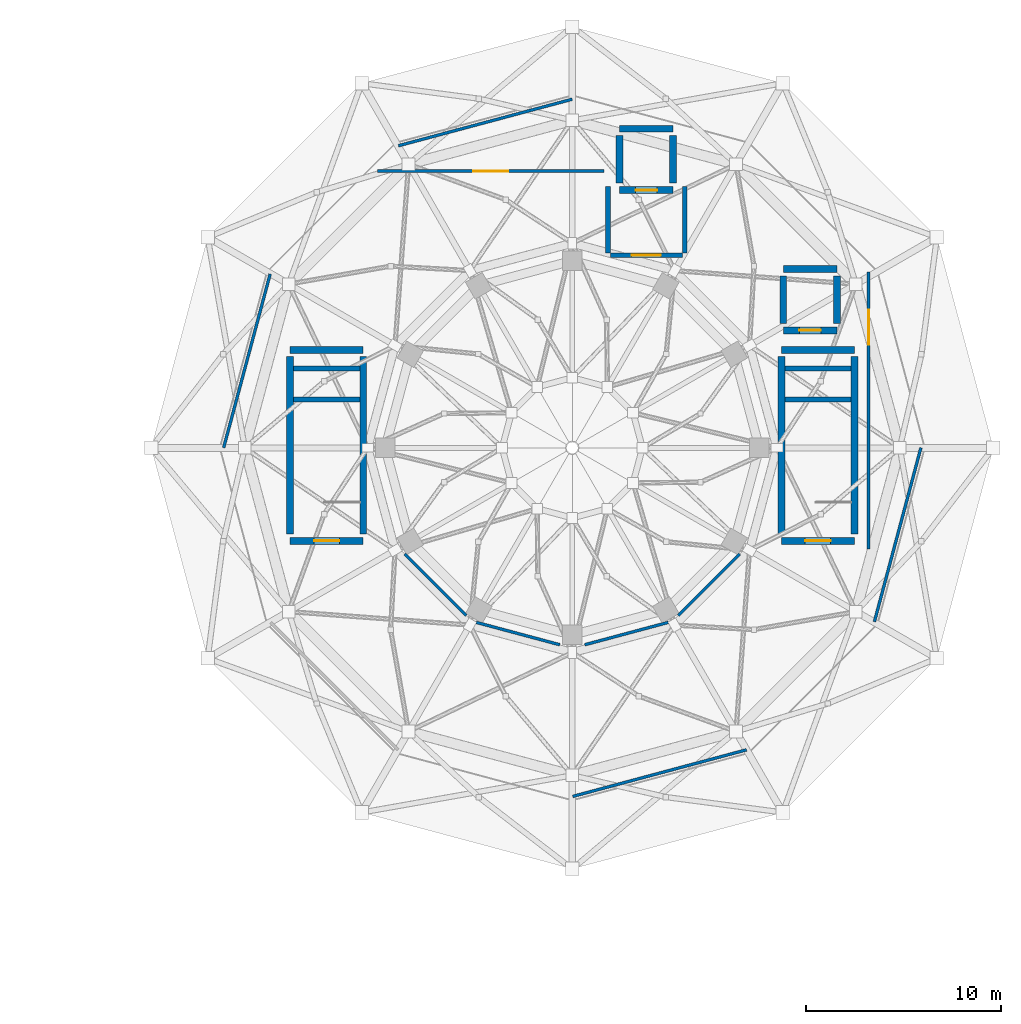
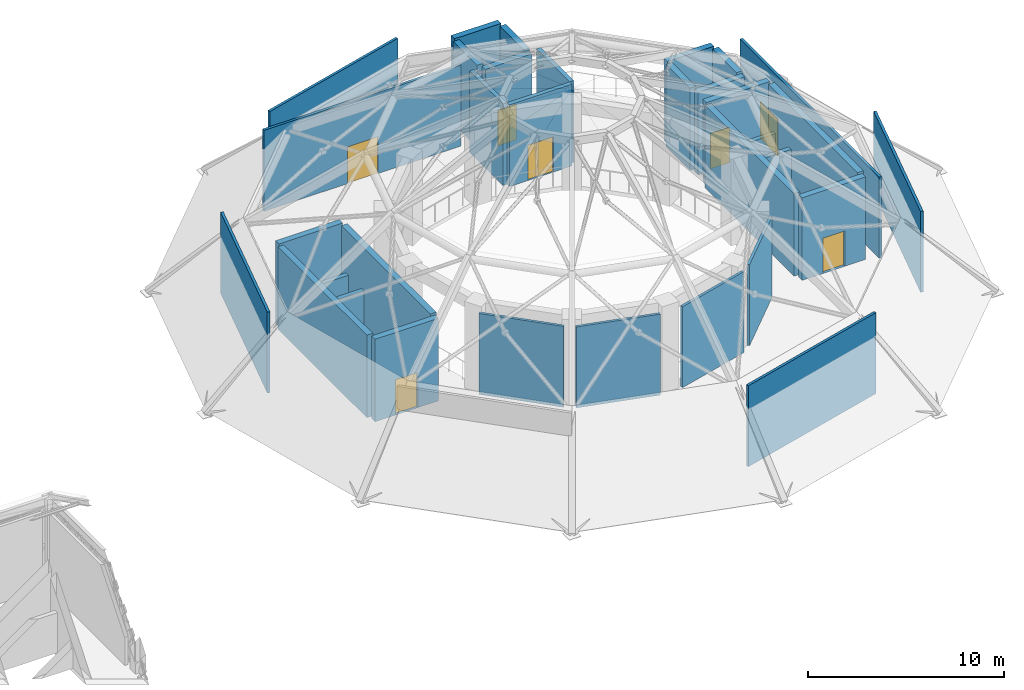
# One storey, part 28 of 32: 33 walls, 7 doors, 7 openings.
"""IFC4 building model written with IfcOpenShell, lengths in metres."""

from ifc_helpers import new_model, si_unit, direction, frame, frame_2d, origin, place, context, subcontext, project, spatial, rectangle, extrude, material, layer, layer_set, type_object, element, fill, save


model = new_model("IFC4")

# Units and contexts
model_context = context("Model", 3, precision=1e-05, world=origin(), true_north=direction((0.0, 1.0)))
body_context = subcontext(model_context, "Body", "Model", "MODEL_VIEW")
ifc_project = project(units=[si_unit("LENGTHUNIT", "METRE"), si_unit("AREAUNIT", "SQUARE_METRE"), si_unit("VOLUMEUNIT", "CUBIC_METRE"), si_unit("PLANEANGLEUNIT", "RADIAN"), si_unit("MASSUNIT", "GRAM", prefix="KILO")], contexts=[model_context])

# Site, building, storey
site_placement = place(None, origin())
site = spatial("IfcSite", under=ifc_project, at=site_placement, CompositionType="ELEMENT")
building_placement = place(site_placement, origin())
building = spatial("IfcBuilding", under=site, at=building_placement, Name="Haizhuo Lancet Aquarium", CompositionType="ELEMENT")
storey_placement = place(building_placement, frame((0.0, 0.0, 27.0)))
storey = spatial("IfcBuildingStorey", under=building, at=storey_placement, Name="L05", CompositionType="ELEMENT", Elevation=27.0)

# Wall, opening, door
ifc_material_1 = material(Name="Concrete C40/50", Category="concrete")
ifc_layer_1 = layer(ifc_material_1, 0.239990234375)
ifc_layer_set_1 = layer_set([ifc_layer_1], Name="Concrete C40/50")
wall_type_1 = type_object("IfcWallType", Name="IWL-FIRE-240", PredefinedType="PARTITIONING", material=ifc_layer_set_1)
wall_1_placement = place(storey_placement, frame((1.949951171875, 9.8798828125, 0.0), z_axis=(0.0, 0.0, 1.0), x_axis=(1.0, 0.0, 0.0)))
wall_1 = element("IfcWall", 1, at=wall_1_placement, inside=storey, type_object=wall_type_1, Name="L05 LF-01 firefighting lift lobby firewall S", PredefinedType="PARTITIONING", context=body_context, shape_type="SweptSolid", body=[
    extrude(rectangle(XDim=3.699951171875, YDim=0.239990234375, at=frame_2d((1.85009765625, 0.0))), origin(), (0.0, 0.0, 1.0), 5.10009765625),
])
opening_1_placement = place(wall_1_placement, frame((1.10009765625, 0.0, 0.0)))
opening_1 = element("IfcOpeningElement", 2, at=opening_1_placement, cuts=wall_1, Name="Opening FD-03", PredefinedType="OPENING", context=body_context, shape_type="SweptSolid", body=[
    extrude(rectangle(XDim=1.5, YDim=2.199951171875, at=frame_2d((0.75, 1.10009765625))), frame((0.0, 0.1298828125, 0.0), z_axis=(0.0, -1.0, 0.0), x_axis=(1.0, 0.0, 0.0)), (0.0, 0.0, 1.0), 0.25999),
])
ifc_material_2 = material(Name="Steel S355", Category="steel")
door_type_1 = type_object("IfcDoorType", Name="IDR-FFL-1500x2200", OperationType="NOTDEFINED", PredefinedType="DOOR", material=ifc_material_2)
door_1_placement = place(opening_1_placement, origin())
door_1 = element("IfcDoor", 3, at=door_1_placement, inside=storey, type_object=door_type_1, Name="L05 LF-01 firefighting lift lobby door", OperationType="SINGLE_SWING_LEFT", OverallHeight=2.199951171875, OverallWidth=1.5, PredefinedType="DOOR", context=body_context, shape_type="SweptSolid", body=[
    extrude(rectangle(XDim=1.5, YDim=2.199951171875, at=frame_2d((0.75, 1.10009765625))), frame((0.0, 0.02490234375, 0.0), z_axis=(0.0, -1.0, 0.0), x_axis=(1.0, 0.0, 0.0)), (0.0, 0.0, 1.0), 0.050048828125),
])
fill(opening_1, door_1)

# Walls
for number, where, z_axis, x_axis, name in (
    (4, (1.830078125, 10.0, 0.0), (0.0, 0.0, 1.0), (0.0, 1.0, 0.0), "L05 LF-01 firefighting lift lobby firewall W"),
    (5, (5.77001953125, 10.0, 0.0), (0.0, 0.0, 1.0), (0.0, 1.0, 0.0), "L05 LF-01 firefighting lift lobby firewall E"),
):
    element("IfcWall", number, at=place(storey_placement, frame(where, z_axis=z_axis, x_axis=x_axis)), inside=storey, type_object=wall_type_1, Name=name, PredefinedType="PARTITIONING", context=body_context, shape_type="SweptSolid", body=[
        extrude(rectangle(XDim=3.39990234375, YDim=0.239990234375, at=frame_2d((1.699951171875, 0.0))), origin(), (0.0, 0.0, 1.0), 5.10009765625),
    ])
ifc_material_3 = material(Name="Gypsum Fireboard Partition")
ifc_layer_2 = layer(ifc_material_3, 0.14990234375)
ifc_layer_set_2 = layer_set([ifc_layer_2], Name="Gypsum Fireboard Partition")
wall_type_2 = type_object("IfcWallType", Name="IWL-STD-150", PredefinedType="PARTITIONING", material=ifc_layer_set_2)
wall_2_placement = place(storey_placement, frame((-15.5, 8.9189453125, 0.0), z_axis=(0.0, 0.0, 1.0), x_axis=(-0.258563280768, -0.965994321846, 0.0)))
element("IfcWall", 6, at=wall_2_placement, inside=storey, type_object=wall_type_2, Name="L05 partition wall 581", PredefinedType="PARTITIONING", context=body_context, shape_type="SweptSolid", body=[
    extrude(rectangle(XDim=9.227783203125, YDim=0.14990234375, at=frame_2d((4.61376953125, 0.0))), origin(), (0.0, 0.0, 1.0), 5.050048828125),
])
wall_3_placement = place(storey_placement, frame((0.02587890625, -17.882080078125, 0.0), z_axis=(0.0, 0.0, 1.0), x_axis=(0.965867706223, 0.259035854808, 0.0)))
element("IfcWall", 7, at=wall_3_placement, inside=storey, type_object=wall_type_2, Name="L05 partition wall 583", PredefinedType="PARTITIONING", context=body_context, shape_type="SweptSolid", body=[
    extrude(rectangle(XDim=9.22705078125, YDim=0.14990234375, at=frame_2d((4.613525390625, 0.0))), origin(), (0.0, 0.0, 1.0), 5.050048828125),
])
wall_4_placement = place(storey_placement, frame((15.5, -8.9189453125, 0.0), z_axis=(0.0, 0.0, 1.0), x_axis=(0.258299214766, 0.966064964509, 0.0)))
element("IfcWall", 8, at=wall_4_placement, inside=storey, type_object=wall_type_2, Name="L05 partition wall 584", PredefinedType="PARTITIONING", context=body_context, shape_type="SweptSolid", body=[
    extrude(rectangle(XDim=9.2373046875, YDim=0.14990234375, at=frame_2d((4.61865234375, 0.0))), origin(), (0.0, 0.0, 1.0), 5.050048828125),
])

# Wall, opening, door
wall_5_placement = place(storey_placement, frame((15.2041015625, 9.02490234375, 0.0), z_axis=(0.0, 0.0, 1.0), x_axis=(-0.000291770347, -0.999999957435, 0.0)))
wall_5 = element("IfcWall", 9, at=wall_5_placement, inside=storey, type_object=wall_type_2, Name="L05 partition wall 585", PredefinedType="PARTITIONING", context=body_context, shape_type="SweptSolid", body=[
    extrude(rectangle(XDim=14.224853515625, YDim=0.14990234375, at=frame_2d((7.1123046875, 0.0))), origin(), (0.0, 0.0, 1.0), 5.050048828125),
])
opening_2_placement = place(wall_5_placement, frame((1.945068359375, 0.0, 0.0)))
opening_2 = element("IfcOpeningElement", 10, at=opening_2_placement, cuts=wall_5, Name="Opening D-02", PredefinedType="OPENING", context=body_context, shape_type="SweptSolid", body=[
    extrude(rectangle(XDim=1.800048828125, YDim=2.300048828125, at=frame_2d((0.89990234375, 1.14990234375))), frame((0.0, 0.0849609375, 0.0), z_axis=(0.0, -1.0, 0.0), x_axis=(1.0, 0.0, 0.0)), (0.0, 0.0, 1.0), 0.169902),
])
ifc_material_4 = material(Name="Aluminium 6063-T6", Category="aluminium")
door_type_2 = type_object("IfcDoorType", Name="IDR-GAL-1800x2300", OperationType="NOTDEFINED", PredefinedType="DOOR", material=ifc_material_4)
door_2_placement = place(opening_2_placement, origin())
door_2 = element("IfcDoor", 11, at=door_2_placement, inside=storey, type_object=door_type_2, Name="L05 Ocean Tank Dome Clerestory Gallery door", OperationType="DOUBLE_DOOR_SINGLE_SWING", OverallHeight=2.300048828125, OverallWidth=1.800048828125, PredefinedType="DOOR", context=body_context, shape_type="SweptSolid", body=[
    extrude(rectangle(XDim=1.800048828125, YDim=2.300048828125, at=frame_2d((0.89990234375, 1.14990234375))), frame((0.0, 0.02490234375, 0.0), z_axis=(0.0, -1.0, 0.0), x_axis=(1.0, 0.0, 0.0)), (0.0, 0.0, 1.0), 0.050048828125),
])
fill(opening_2, door_2)

# Walls
wall_6_placement = place(storey_placement, frame((8.593017578125, -5.43994140625, 0.0), z_axis=(0.0, 0.0, 1.0), x_axis=(-0.707106781187, -0.707106781187, 0.0)))
element("IfcWall", 12, at=wall_6_placement, inside=storey, type_object=wall_type_2, Name="L05 partition wall 586", PredefinedType="PARTITIONING", context=body_context, shape_type="SweptSolid", body=[
    extrude(rectangle(XDim=4.459228515625, YDim=0.14990234375, at=frame_2d((2.2294921875, 0.0))), origin(), (0.0, 0.0, 1.0), 5.050048828125),
])
for number, where, z_axis, x_axis, name in (
    (13, (4.922119140625, -8.9541015625, 0.0), (0.0, 0.0, 1.0), (-0.965895929323, -0.258930596333, 0.0), "L05 partition wall 587"),
    (14, (-0.639892578125, -10.10205078125, 0.0), (0.0, 0.0, 1.0), (-0.965895929323, 0.258930596333, 0.0), "L05 partition wall 588"),
):
    element("IfcWall", number, at=place(storey_placement, frame(where, z_axis=z_axis, x_axis=x_axis)), inside=storey, type_object=wall_type_2, Name=name, PredefinedType="PARTITIONING", context=body_context, shape_type="SweptSolid", body=[
        extrude(rectangle(XDim=4.433349609375, YDim=0.14990234375, at=frame_2d((2.216796875, 0.0))), origin(), (0.0, 0.0, 1.0), 5.050048828125),
    ])
wall_7_placement = place(storey_placement, frame((-5.43994140625, -8.593017578125, 0.0), z_axis=(0.0, 0.0, 1.0), x_axis=(-0.707106781187, 0.707106781187, 0.0)))
element("IfcWall", 15, at=wall_7_placement, inside=storey, type_object=wall_type_2, Name="L05 partition wall 589", PredefinedType="PARTITIONING", context=body_context, shape_type="SweptSolid", body=[
    extrude(rectangle(XDim=4.459228515625, YDim=0.14990234375, at=frame_2d((2.2294921875, 0.0))), origin(), (0.0, 0.0, 1.0), 5.050048828125),
])

# Wall, opening, door
wall_8_placement = place(storey_placement, frame((-9.99609375, 14.199951171875, 0.0), z_axis=(0.0, 0.0, 1.0), x_axis=(1.0, 0.0, 0.0)))
wall_8 = element("IfcWall", 16, at=wall_8_placement, inside=storey, type_object=wall_type_2, Name="L05 partition wall 590", PredefinedType="PARTITIONING", context=body_context, shape_type="SweptSolid", body=[
    extrude(rectangle(XDim=11.62109375, YDim=0.14990234375, at=frame_2d((5.810546875, 0.0))), origin(), (0.0, 0.0, 1.0), 5.050048828125),
])
opening_3_placement = place(wall_8_placement, frame((4.909912109375, 0.0, 0.0)))
opening_3 = element("IfcOpeningElement", 17, at=opening_3_placement, cuts=wall_8, Name="Opening D-02", PredefinedType="OPENING", context=body_context, shape_type="SweptSolid", body=[
    extrude(rectangle(XDim=1.800048828125, YDim=2.300048828125, at=frame_2d((0.89990234375, 1.14990234375))), frame((0.0, 0.0849609375, 0.0), z_axis=(0.0, -1.0, 0.0), x_axis=(1.0, 0.0, 0.0)), (0.0, 0.0, 1.0), 0.169902),
])
door_3_placement = place(opening_3_placement, origin())
door_3 = element("IfcDoor", 18, at=door_3_placement, inside=storey, type_object=door_type_2, Name="L05 Ocean Tank Dome Clerestory Gallery door", OperationType="DOUBLE_DOOR_SINGLE_SWING", OverallHeight=2.300048828125, OverallWidth=1.800048828125, PredefinedType="DOOR", context=body_context, shape_type="SweptSolid", body=[
    extrude(rectangle(XDim=1.800048828125, YDim=2.300048828125, at=frame_2d((0.89990234375, 1.14990234375))), frame((0.0, 0.02490234375, 0.0), z_axis=(0.0, -1.0, 0.0), x_axis=(1.0, 0.0, 0.0)), (0.0, 0.0, 1.0), 0.050048828125),
])
fill(opening_3, door_3)

# Walls
wall_9_placement = place(storey_placement, frame((-0.0048828125, 17.885986328125, 0.0), z_axis=(0.0, 0.0, 1.0), x_axis=(-0.965994321846, -0.258563280768, 0.0)))
element("IfcWall", 19, at=wall_9_placement, inside=storey, type_object=wall_type_2, Name="L05 partition wall 591", PredefinedType="PARTITIONING", context=body_context, shape_type="SweptSolid", body=[
    extrude(rectangle(XDim=9.227783203125, YDim=0.14990234375, at=frame_2d((4.61376953125, 0.0))), origin(), (0.0, 0.0, 1.0), 5.050048828125),
])
ifc_layer_3 = layer(ifc_material_1, 0.35009765625)
ifc_layer_set_3 = layer_set([ifc_layer_3], Name="Concrete C40/50")
wall_type_3 = type_object("IfcWallType", Name="WL-CORE-350", PredefinedType="SHEAR", material=ifc_layer_set_3)
for number, where, z_axis, x_axis, name in (
    (20, (-14.300048828125, 2.47509765625, 0.0), (0.0, 0.0, 1.0), (1.0, 0.0, 0.0), "L05 ST-01 landing support wall"),
    (21, (-14.300048828125, 4.074951171875, 0.0), (0.0, 0.0, 1.0), (1.0, 0.0, 0.0), "L05 ST-01 far landing support wall"),
):
    element("IfcWall", number, at=place(storey_placement, frame(where, z_axis=z_axis, x_axis=x_axis)), inside=storey, type_object=wall_type_3, Name=name, PredefinedType="SHEAR", context=body_context, shape_type="SweptSolid", body=[
        extrude(rectangle(XDim=3.400146484375, YDim=0.25, at=frame_2d((1.7001953125, 0.0))), origin(), (0.0, 0.0, 1.0), 2.5),
    ])

# Wall, opening, door
wall_10_placement = place(storey_placement, frame((-14.47509765625, -4.77490234375, 0.0), z_axis=(0.0, 0.0, 1.0), x_axis=(1.0, 0.0, 0.0)))
wall_10 = element("IfcWall", 22, at=wall_10_placement, inside=storey, type_object=wall_type_3, Name="L05 ST-01 core shear wall S", PredefinedType="SHEAR", context=body_context, shape_type="SweptSolid", body=[
    extrude(rectangle(XDim=3.75, YDim=0.35009765625, at=frame_2d((1.875, 0.0))), origin(), (0.0, 0.0, 1.0), 5.14990234375),
])
opening_4_placement = place(wall_10_placement, frame((1.22509765625, 0.0, 0.0)))
opening_4 = element("IfcOpeningElement", 23, at=opening_4_placement, cuts=wall_10, Name="Opening FD-02", PredefinedType="OPENING", context=body_context, shape_type="SweptSolid", body=[
    extrude(rectangle(XDim=1.300048828125, YDim=2.199951171875, at=frame_2d((0.64990234375, 1.10009765625))), frame((0.0, 0.18505859375, 0.0), z_axis=(0.0, -1.0, 0.0), x_axis=(1.0, 0.0, 0.0)), (0.0, 0.0, 1.0), 0.370098),
])
door_type_3 = type_object("IfcDoorType", Name="IDR-STAIR-1300x2200", OperationType="NOTDEFINED", PredefinedType="DOOR", material=ifc_material_2)
door_4_placement = place(opening_4_placement, origin())
door_4 = element("IfcDoor", 24, at=door_4_placement, inside=storey, type_object=door_type_3, Name="L05 ST-01 stairwell fire door", OperationType="SINGLE_SWING_LEFT", OverallHeight=2.199951171875, OverallWidth=1.300048828125, PredefinedType="DOOR", context=body_context, shape_type="SweptSolid", body=[
    extrude(rectangle(XDim=1.300048828125, YDim=2.199951171875, at=frame_2d((0.64990234375, 1.10009765625))), frame((0.0, 0.02490234375, 0.0), z_axis=(0.0, -1.0, 0.0), x_axis=(1.0, 0.0, 0.0)), (0.0, 0.0, 1.0), 0.050048828125),
])
fill(opening_4, door_4)

# Walls
wall_11_placement = place(storey_placement, frame((-14.47509765625, 5.02490234375, 0.0), z_axis=(0.0, 0.0, 1.0), x_axis=(1.0, 0.0, 0.0)))
element("IfcWall", 25, at=wall_11_placement, inside=storey, type_object=wall_type_3, Name="L05 ST-01 core shear wall N", PredefinedType="SHEAR", context=body_context, shape_type="SweptSolid", body=[
    extrude(rectangle(XDim=3.75, YDim=0.35009765625, at=frame_2d((1.875, 0.0))), origin(), (0.0, 0.0, 1.0), 5.14990234375),
])
for number, where, z_axis, x_axis, name in (
    (26, (-14.47509765625, -4.425048828125, 0.0), (0.0, 0.0, 1.0), (0.0, 1.0, 0.0), "L05 ST-01 core shear wall W"),
    (27, (-10.72509765625, -4.425048828125, 0.0), (0.0, 0.0, 1.0), (0.0, 1.0, 0.0), "L05 ST-01 core shear wall E"),
):
    element("IfcWall", number, at=place(storey_placement, frame(where, z_axis=z_axis, x_axis=x_axis)), inside=storey, type_object=wall_type_3, Name=name, PredefinedType="SHEAR", context=body_context, shape_type="SweptSolid", body=[
        extrude(rectangle(XDim=9.10009765625, YDim=0.35009765625, at=frame_2d((4.550048828125, 0.0))), origin(), (0.0, 0.0, 1.0), 5.14990234375),
    ])
for number, where, z_axis, x_axis, name in (
    (28, (10.89990234375, 2.47509765625, 0.0), (0.0, 0.0, 1.0), (1.0, 0.0, 0.0), "L05 ST-02 landing support wall"),
    (29, (10.89990234375, 4.074951171875, 0.0), (0.0, 0.0, 1.0), (1.0, 0.0, 0.0), "L05 ST-02 far landing support wall"),
):
    element("IfcWall", number, at=place(storey_placement, frame(where, z_axis=z_axis, x_axis=x_axis)), inside=storey, type_object=wall_type_3, Name=name, PredefinedType="SHEAR", context=body_context, shape_type="SweptSolid", body=[
        extrude(rectangle(XDim=3.400146484375, YDim=0.25, at=frame_2d((1.7001953125, 0.0))), origin(), (0.0, 0.0, 1.0), 2.5),
    ])

# Wall, opening, door
wall_12_placement = place(storey_placement, frame((10.72509765625, -4.77490234375, 0.0), z_axis=(0.0, 0.0, 1.0), x_axis=(1.0, 0.0, 0.0)))
wall_12 = element("IfcWall", 30, at=wall_12_placement, inside=storey, type_object=wall_type_3, Name="L05 ST-02 core shear wall S", PredefinedType="SHEAR", context=body_context, shape_type="SweptSolid", body=[
    extrude(rectangle(XDim=3.75, YDim=0.35009765625, at=frame_2d((1.875, 0.0))), origin(), (0.0, 0.0, 1.0), 5.14990234375),
])
opening_5_placement = place(wall_12_placement, frame((1.22509765625, 0.0, 0.0)))
opening_5 = element("IfcOpeningElement", 31, at=opening_5_placement, cuts=wall_12, Name="Opening FD-02", PredefinedType="OPENING", context=body_context, shape_type="SweptSolid", body=[
    extrude(rectangle(XDim=1.300048828125, YDim=2.199951171875, at=frame_2d((0.64990234375, 1.10009765625))), frame((0.0, 0.18505859375, 0.0), z_axis=(0.0, -1.0, 0.0), x_axis=(1.0, 0.0, 0.0)), (0.0, 0.0, 1.0), 0.370098),
])
door_5_placement = place(opening_5_placement, origin())
door_5 = element("IfcDoor", 32, at=door_5_placement, inside=storey, type_object=door_type_3, Name="L05 ST-02 stairwell fire door", OperationType="SINGLE_SWING_RIGHT", OverallHeight=2.199951171875, OverallWidth=1.300048828125, PredefinedType="DOOR", context=body_context, shape_type="SweptSolid", body=[
    extrude(rectangle(XDim=1.300048828125, YDim=2.199951171875, at=frame_2d((0.64990234375, 1.10009765625))), frame((0.0, 0.02490234375, 0.0), z_axis=(0.0, -1.0, 0.0), x_axis=(1.0, 0.0, 0.0)), (0.0, 0.0, 1.0), 0.050048828125),
])
fill(opening_5, door_5)

# Walls
wall_13_placement = place(storey_placement, frame((10.72509765625, 5.02490234375, 0.0), z_axis=(0.0, 0.0, 1.0), x_axis=(1.0, 0.0, 0.0)))
element("IfcWall", 33, at=wall_13_placement, inside=storey, type_object=wall_type_3, Name="L05 ST-02 core shear wall N", PredefinedType="SHEAR", context=body_context, shape_type="SweptSolid", body=[
    extrude(rectangle(XDim=3.75, YDim=0.35009765625, at=frame_2d((1.875, 0.0))), origin(), (0.0, 0.0, 1.0), 5.14990234375),
])
for number, where, z_axis, x_axis, name in (
    (34, (10.72509765625, -4.425048828125, 0.0), (0.0, 0.0, 1.0), (0.0, 1.0, 0.0), "L05 ST-02 core shear wall W"),
    (35, (14.47509765625, -4.425048828125, 0.0), (0.0, 0.0, 1.0), (0.0, 1.0, 0.0), "L05 ST-02 core shear wall E"),
):
    element("IfcWall", number, at=place(storey_placement, frame(where, z_axis=z_axis, x_axis=x_axis)), inside=storey, type_object=wall_type_3, Name=name, PredefinedType="SHEAR", context=body_context, shape_type="SweptSolid", body=[
        extrude(rectangle(XDim=9.10009765625, YDim=0.35009765625, at=frame_2d((4.550048828125, 0.0))), origin(), (0.0, 0.0, 1.0), 5.14990234375),
    ])

# Wall, opening, door
wall_14_placement = place(storey_placement, frame((2.425048828125, 13.22509765625, 0.0), z_axis=(0.0, 0.0, 1.0), x_axis=(1.0, 0.0, 0.0)))
wall_14 = element("IfcWall", 36, at=wall_14_placement, inside=storey, type_object=wall_type_3, Name="L05 LF-01 lift shaft wall -Y", PredefinedType="SHEAR", context=body_context, shape_type="SweptSolid", body=[
    extrude(rectangle(XDim=2.75, YDim=0.35009765625, at=frame_2d((1.375, 0.0))), origin(), (0.0, 0.0, 1.0), 5.14990234375),
])
opening_6_placement = place(wall_14_placement, frame((0.824951171875, 0.0, 0.0)))
opening_6 = element("IfcOpeningElement", 37, at=opening_6_placement, cuts=wall_14, Name="Opening LD-01", PredefinedType="OPENING", context=body_context, shape_type="SweptSolid", body=[
    extrude(rectangle(XDim=1.10009765625, YDim=2.199951171875, at=frame_2d((0.550048828125, 1.10009765625))), frame((0.0, 0.18505859375, 0.0), z_axis=(0.0, -1.0, 0.0), x_axis=(1.0, 0.0, 0.0)), (0.0, 0.0, 1.0), 0.370098),
])
door_type_4 = type_object("IfcDoorType", Name="IDR-LIFT-1100x2200", OperationType="NOTDEFINED", PredefinedType="DOOR", material=ifc_material_2)
door_6_placement = place(opening_6_placement, origin())
door_6 = element("IfcDoor", 38, at=door_6_placement, inside=storey, type_object=door_type_4, Name="L05 LF-01 sliding lift landing door", OperationType="DOUBLE_DOOR_SLIDING", OverallHeight=2.199951171875, OverallWidth=1.10009765625, PredefinedType="DOOR", context=body_context, shape_type="SweptSolid", body=[
    extrude(rectangle(XDim=1.10009765625, YDim=2.199951171875, at=frame_2d((0.550048828125, 1.10009765625))), frame((0.0, 0.02490234375, 0.0), z_axis=(0.0, -1.0, 0.0), x_axis=(1.0, 0.0, 0.0)), (0.0, 0.0, 1.0), 0.050048828125),
])
fill(opening_6, door_6)

# Walls
wall_15_placement = place(storey_placement, frame((5.175048828125, 16.375, 0.0), z_axis=(0.0, 0.0, 1.0), x_axis=(-1.0, 0.0, 0.0)))
element("IfcWall", 39, at=wall_15_placement, inside=storey, type_object=wall_type_3, Name="L05 LF-01 lift shaft wall +Y", PredefinedType="SHEAR", context=body_context, shape_type="SweptSolid", body=[
    extrude(rectangle(XDim=2.75, YDim=0.35009765625, at=frame_2d((1.375, 0.0))), origin(), (0.0, 0.0, 1.0), 5.14990234375),
])
for number, where, z_axis, x_axis, name in (
    (40, (2.425048828125, 13.574951171875, 0.0), (0.0, 0.0, 1.0), (0.0, 1.0, 0.0), "L05 LF-01 lift shaft wall -X"),
    (41, (5.175048828125, 13.574951171875, 0.0), (0.0, 0.0, 1.0), (0.0, 1.0, 0.0), "L05 LF-01 lift shaft wall +X"),
):
    element("IfcWall", number, at=place(storey_placement, frame(where, z_axis=z_axis, x_axis=x_axis)), inside=storey, type_object=wall_type_3, Name=name, PredefinedType="SHEAR", context=body_context, shape_type="SweptSolid", body=[
        extrude(rectangle(XDim=2.449951171875, YDim=0.35009765625, at=frame_2d((1.22509765625, 0.0))), origin(), (0.0, 0.0, 1.0), 5.14990234375),
    ])

# Wall, opening, door
wall_16_placement = place(storey_placement, frame((10.824951171875, 6.02490234375, 0.0), z_axis=(0.0, 0.0, 1.0), x_axis=(1.0, 0.0, 0.0)))
wall_16 = element("IfcWall", 42, at=wall_16_placement, inside=storey, type_object=wall_type_3, Name="L05 LP-01 lift shaft wall -Y", PredefinedType="SHEAR", context=body_context, shape_type="SweptSolid", body=[
    extrude(rectangle(XDim=2.75, YDim=0.35009765625, at=frame_2d((1.375, 0.0))), origin(), (0.0, 0.0, 1.0), 5.14990234375),
])
opening_7_placement = place(wall_16_placement, frame((0.824951171875, 0.0, 0.0)))
opening_7 = element("IfcOpeningElement", 43, at=opening_7_placement, cuts=wall_16, Name="Opening LD-01", PredefinedType="OPENING", context=body_context, shape_type="SweptSolid", body=[
    extrude(rectangle(XDim=1.10009765625, YDim=2.199951171875, at=frame_2d((0.550048828125, 1.10009765625))), frame((0.0, 0.18505859375, 0.0), z_axis=(0.0, -1.0, 0.0), x_axis=(1.0, 0.0, 0.0)), (0.0, 0.0, 1.0), 0.370098),
])
door_7_placement = place(opening_7_placement, origin())
door_7 = element("IfcDoor", 44, at=door_7_placement, inside=storey, type_object=door_type_4, Name="L05 LP-01 sliding lift landing door", OperationType="DOUBLE_DOOR_SLIDING", OverallHeight=2.199951171875, OverallWidth=1.10009765625, PredefinedType="DOOR", context=body_context, shape_type="SweptSolid", body=[
    extrude(rectangle(XDim=1.10009765625, YDim=2.199951171875, at=frame_2d((0.550048828125, 1.10009765625))), frame((0.0, 0.02490234375, 0.0), z_axis=(0.0, -1.0, 0.0), x_axis=(1.0, 0.0, 0.0)), (0.0, 0.0, 1.0), 0.050048828125),
])
fill(opening_7, door_7)

# Walls
wall_17_placement = place(storey_placement, frame((13.574951171875, 9.175048828125, 0.0), z_axis=(0.0, 0.0, 1.0), x_axis=(-1.0, 0.0, 0.0)))
element("IfcWall", 45, at=wall_17_placement, inside=storey, type_object=wall_type_3, Name="L05 LP-01 lift shaft wall +Y", PredefinedType="SHEAR", context=body_context, shape_type="SweptSolid", body=[
    extrude(rectangle(XDim=2.75, YDim=0.35009765625, at=frame_2d((1.375, 0.0))), origin(), (0.0, 0.0, 1.0), 5.14990234375),
])
for number, where, z_axis, x_axis, name in (
    (46, (10.824951171875, 6.375, 0.0), (0.0, 0.0, 1.0), (0.0, 1.0, 0.0), "L05 LP-01 lift shaft wall -X"),
    (47, (13.574951171875, 6.375, 0.0), (0.0, 0.0, 1.0), (0.0, 1.0, 0.0), "L05 LP-01 lift shaft wall +X"),
):
    element("IfcWall", number, at=place(storey_placement, frame(where, z_axis=z_axis, x_axis=x_axis)), inside=storey, type_object=wall_type_3, Name=name, PredefinedType="SHEAR", context=body_context, shape_type="SweptSolid", body=[
        extrude(rectangle(XDim=2.449951171875, YDim=0.35009765625, at=frame_2d((1.22509765625, 0.0))), origin(), (0.0, 0.0, 1.0), 5.14990234375),
    ])

save(model, "model.ifc")
